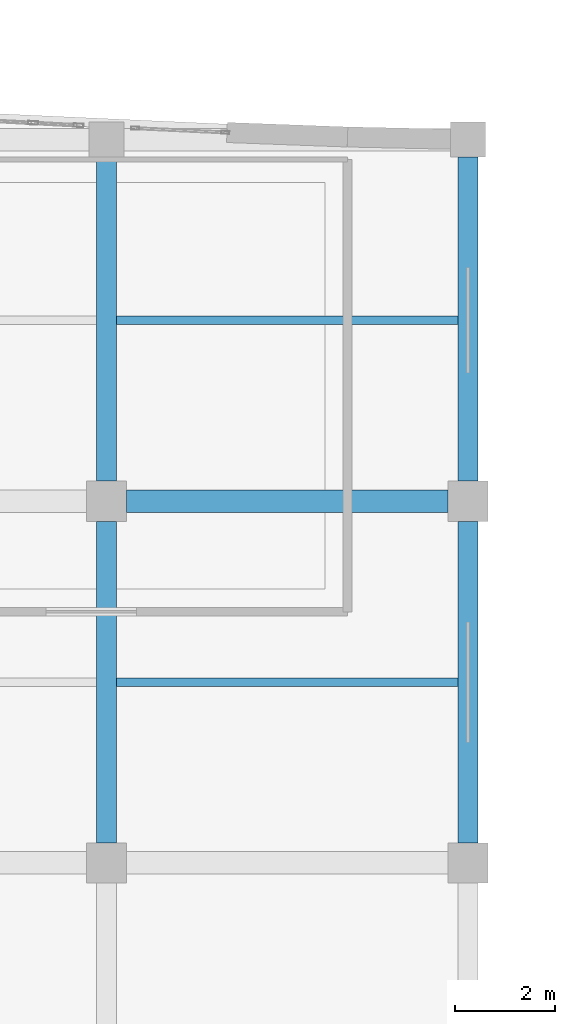
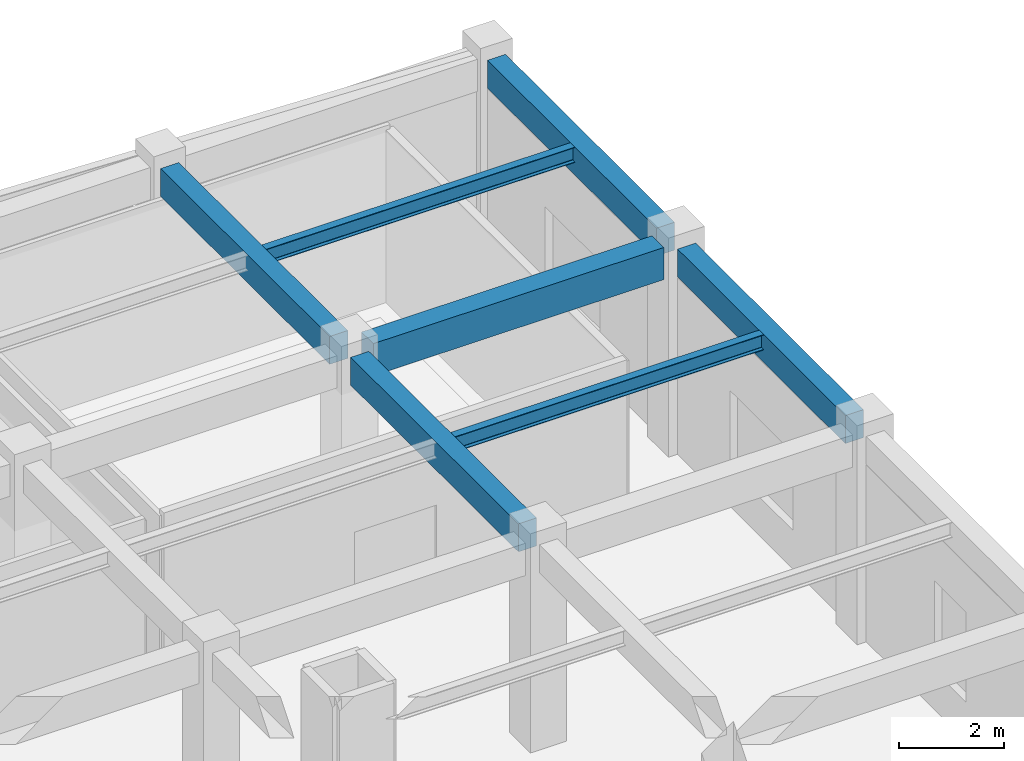
# One storey, part 64 of 117: 7 beams.
"""IFC4 building model written with IfcOpenShell, lengths in metres."""

import ifcopenshell
import ifcopenshell.guid

model = None  # the IFC model being written
_history = None  # IfcOwnerHistory: only IFC2X3 demands one
_inside = {}  # id of a spatial element -> (the spatial element, [elements in it])
_under = {}  # id of a project, library or spatial element -> (it, [spatial elements below it])
_declared = {}  # id of a project -> (the project, [libraries it declares])
_typed = {}  # id of a type object -> (the type object, [elements of that type])
_made_of = {}  # id of a material, layer set ... -> (it, [elements and type objects made of it])


def new_model(schema):
    """Start an empty IFC model of exactly this schema.

    Asked for "IFC4X3", IfcOpenShell would pick the latest addendum, in which some entities
    have other attributes; the version numbers below select the first issue.
    IFC2X3 requires an IfcOwnerHistory on every rooted entity: one is made here for all.
    """
    global model, _history
    if schema == "IFC4X3":
        model = ifcopenshell.file(schema_version=(4, 3, 0, 0))
    else:
        model = ifcopenshell.file(schema=schema)
    _inside.clear()
    _under.clear()
    _declared.clear()
    _typed.clear()
    _made_of.clear()
    _history = None
    if model.schema == "IFC2X3":
        org = make("IfcOrganization", Name="unknown")
        user = make(
            "IfcPersonAndOrganization",
            ThePerson=make("IfcPerson", FamilyName="unknown"),
            TheOrganization=org,
        )
        app = make(
            "IfcApplication",
            ApplicationDeveloper=org,
            Version="unknown",
            ApplicationFullName="unknown",
            ApplicationIdentifier="unknown",
        )
        _history = make(
            "IfcOwnerHistory",
            OwningUser=user,
            OwningApplication=app,
            ChangeAction="ADDED",
            CreationDate=0,
        )
    return model


def make(cls, **values):
    """One entity of the class cls with the attributes given. An attribute that is None is left unset."""
    return model.create_entity(
        cls, **{name: value for name, value in values.items() if value is not None}
    )


def rooted(cls, **values):
    """An entity with a GlobalId (a new one), such as an element, a storey or a relation."""
    return make(cls, GlobalId=ifcopenshell.guid.new(), OwnerHistory=_history, **values)


def si_unit(unit_type, name, prefix=None):
    """IfcSIUnit, for example si_unit("LENGTHUNIT", "METRE", prefix="MILLI")."""
    return make("IfcSIUnit", UnitType=unit_type, Prefix=prefix, Name=name)


def assignment(units):
    """IfcUnitAssignment: the units of a project."""
    return None if units is None else make("IfcUnitAssignment", Units=units)


def point(xyz):
    """IfcCartesianPoint."""
    return None if xyz is None else make("IfcCartesianPoint", Coordinates=xyz)


def direction(xyz):
    """IfcDirection."""
    return None if xyz is None else make("IfcDirection", DirectionRatios=xyz)


def frame(location, z_axis=None, x_axis=None):
    """IfcAxis2Placement3D, a coordinate frame: its origin and axes. An axis left out is left unset."""
    return make(
        "IfcAxis2Placement3D",
        Location=point(location),
        Axis=direction(z_axis),
        RefDirection=direction(x_axis),
    )


def frame_2d(location, x_axis=None):
    """IfcAxis2Placement2D, a coordinate frame in the plane: its origin and x axis."""
    return make(
        "IfcAxis2Placement2D", Location=point(location), RefDirection=direction(x_axis)
    )


def origin():
    """The frame at (0, 0, 0) with its axes left unset."""
    return frame((0.0, 0.0, 0.0))


def origin_2d():
    """The frame at (0, 0) in the plane with its x axis left unset."""
    return frame_2d((0.0, 0.0))


def place(relative_to, where):
    """IfcLocalPlacement: puts the frame where relative to a parent placement (None: the world)."""
    return make(
        "IfcLocalPlacement", PlacementRelTo=relative_to, RelativePlacement=where
    )


def context(
    kind, dimensions, precision=None, world=None, true_north=None, identifier=None
):
    """IfcGeometricRepresentationContext, for example the 3D "Model" context."""
    return make(
        "IfcGeometricRepresentationContext",
        ContextIdentifier=identifier,
        ContextType=kind,
        CoordinateSpaceDimension=dimensions,
        Precision=precision,
        WorldCoordinateSystem=world,
        TrueNorth=true_north,
    )


def subcontext(parent, identifier, kind, view, scale=None):
    """IfcGeometricRepresentationSubContext, for example "Body" below "Model"."""
    return make(
        "IfcGeometricRepresentationSubContext",
        ContextIdentifier=identifier,
        ContextType=kind,
        ParentContext=parent,
        TargetScale=scale,
        TargetView=view,
    )


def project(units=None, contexts=None):
    """IfcProject with its units and contexts."""
    return rooted(
        "IfcProject",
        Name="project",
        RepresentationContexts=contexts,
        UnitsInContext=assignment(units),
    )


def spatial(cls, under=None, at=None, **own):
    """A site, building, storey or space (cls), placed at a placement, below another one or the project."""
    s = rooted(cls, ObjectPlacement=at, **own)
    if under is not None:
        _under.setdefault(under.id(), (under, []))[1].append(s)
    return s


def profile(cls, at=None, kind="AREA", **sizes):
    """A parametric profile (cls). Its sizes go by their IFC names, for example OverallWidth=200.0."""
    return make(cls, ProfileType=kind, Position=at, **sizes)


def rectangle(**sizes):
    """IfcRectangleProfileDef."""
    return profile("IfcRectangleProfileDef", **sizes)


def i_section(**sizes):
    """IfcIShapeProfileDef."""
    return profile("IfcIShapeProfileDef", **sizes)


def extrude(swept, where, along, depth):
    """IfcExtrudedAreaSolid: the profile swept, set in the frame where, extruded along a direction by depth."""
    return make(
        "IfcExtrudedAreaSolid",
        SweptArea=swept,
        Position=where,
        ExtrudedDirection=direction(along),
        Depth=depth,
    )


def shape(context_of_items, identifier, shape_type, items):
    """IfcShapeRepresentation: the items that make up one representation, for example the "Body"."""
    return make(
        "IfcShapeRepresentation",
        ContextOfItems=context_of_items,
        RepresentationIdentifier=identifier,
        RepresentationType=shape_type,
        Items=items,
    )


def material(Name=None, Category=None):
    """IfcMaterial."""
    return make("IfcMaterial", Name=Name, Category=Category)


def material_profile(
    of_material, cross_section, Name=None, Category=None, Priority=None
):
    """IfcMaterialProfile: a cross section and its material."""
    return make(
        "IfcMaterialProfile",
        Name=Name,
        Material=of_material,
        Profile=cross_section,
        Priority=Priority,
        Category=Category,
    )


def profile_set(profiles, Name=None, composite=None):
    """IfcMaterialProfileSet."""
    return make(
        "IfcMaterialProfileSet",
        Name=Name,
        MaterialProfiles=profiles,
        CompositeProfile=composite,
    )


def made_of(thing, what):
    """Note that an element or type object is made of a material, layer set ...; save() writes the relation."""
    if what is not None:
        _made_of.setdefault(what.id(), (what, []))[1].append(thing)
    return thing


def type_object(cls, material=None, **own):
    """A type object (cls), such as IfcWallType, which elements share."""
    return made_of(rooted(cls, **own), material)


def element(
    cls,
    number,
    at=None,
    inside=None,
    cuts=None,
    type_object=None,
    material=None,
    context=None,
    identifier="Body",
    shape_type=None,
    held_by="IfcProductDefinitionShape",
    body=None,
    shapes=None,
    **own,
):
    """One element of the class cls, such as IfcWall. Its Tag is "e" and its number.

    at: its placement. inside: the storey or other place that contains it. cuts: it is an
    opening in that element (IfcRelVoidsElement). A single representation is given by context,
    identifier, shape_type and body (its items); several are given by shapes. held_by: the class
    of the entity that holds the representations. save() writes the other relations.
    """
    e = rooted(cls, Tag="e%d" % number, ObjectPlacement=at, **own)
    if body is not None:
        shapes = [shape(context, identifier, shape_type, body)]
    if shapes is not None:
        e.Representation = make(held_by, Representations=shapes)
    if inside is not None:
        _inside.setdefault(inside.id(), (inside, []))[1].append(e)
    if cuts is not None:
        rooted(
            "IfcRelVoidsElement", RelatingBuildingElement=cuts, RelatedOpeningElement=e
        )
    if type_object is not None:
        _typed.setdefault(type_object.id(), (type_object, []))[1].append(e)
    return made_of(e, material)


def aggregate(whole, parts):
    """IfcRelAggregates: a whole, such as a stair, and the parts it consists of."""
    return rooted("IfcRelAggregates", RelatingObject=whole, RelatedObjects=parts)


def save(model, path):
    """Write the relations noted so far, then the file.

    IfcRelAggregates (storeys below a building ...), IfcRelContainedInSpatialStructure (elements
    in a storey), IfcRelDefinesByType, IfcRelAssociatesMaterial and IfcRelDeclares: one each for
    every whole, place, type object, material and project.
    """
    for whole, parts in _under.values():
        aggregate(whole, parts)
    for where, things in _inside.values():
        rooted(
            "IfcRelContainedInSpatialStructure",
            RelatedElements=things,
            RelatingStructure=where,
        )
    for kind, things in _typed.values():
        rooted("IfcRelDefinesByType", RelatedObjects=things, RelatingType=kind)
    for what, things in _made_of.values():
        rooted("IfcRelAssociatesMaterial", RelatedObjects=things, RelatingMaterial=what)
    for by, libraries in _declared.values():
        rooted("IfcRelDeclares", RelatingContext=by, RelatedDefinitions=libraries)
    model.write(path)


model = new_model("IFC4")

# Units and contexts
model_context = context("Model", 3, precision=1e-05, world=origin(), true_north=direction((0.0, 1.0)))
body_context = subcontext(model_context, "Body", "Model", "MODEL_VIEW")
ifc_project = project(units=[si_unit("LENGTHUNIT", "METRE"), si_unit("AREAUNIT", "SQUARE_METRE"), si_unit("VOLUMEUNIT", "CUBIC_METRE"), si_unit("PLANEANGLEUNIT", "RADIAN"), si_unit("MASSUNIT", "GRAM", prefix="KILO")], contexts=[model_context])

# Site, building, storey
site_placement = place(None, origin())
site = spatial("IfcSite", under=ifc_project, at=site_placement, CompositionType="ELEMENT")
building_placement = place(site_placement, origin())
building = spatial("IfcBuilding", under=site, at=building_placement, Name="Carrowvane Square Congress Hotel", CompositionType="ELEMENT")
storey_placement = place(building_placement, frame((0.0, 0.0, 5.39990234375)))
storey = spatial("IfcBuildingStorey", under=building, at=storey_placement, Name="L01", CompositionType="ELEMENT", Elevation=5.39990234375)

# Beams
ifc_material_1 = material(Name="Concrete C35/45", Category="concrete")
ifc_material_profile_1 = material_profile(ifc_material_1, rectangle(XDim=0.39990234375, YDim=0.64990234375, at=origin_2d()), Name="RC 400x650")
ifc_profile_set_1 = profile_set([ifc_material_profile_1], Name="Concrete C35/45")
beam_type_1 = type_object("IfcBeamType", Name="BM-RC-400x650", PredefinedType="BEAM", material=ifc_profile_set_1)
beam_1_placement = place(storey_placement, frame((155.60009765625, 99.39990234375, 4.455078125), z_axis=(0.0, 1.0, 0.0), x_axis=(-1.0, 0.0, 0.0)))
element("IfcBeam", 1, at=beam_1_placement, inside=storey, type_object=beam_type_1, Name="L02 girder 21/P-Q", PredefinedType="BEAM", context=body_context, shape_type="SweptSolid", body=[
    extrude(rectangle(XDim=0.39990234375, YDim=0.64990234375, at=origin_2d()), origin(), (0.0, 0.0, 1.0), 6.400146484375),
])
beam_2_placement = place(storey_placement, frame((155.60009765625, 106.60009765625, 4.455078125), z_axis=(0.0, 1.0, 0.0), x_axis=(-1.0, 0.0, 0.0)))
element("IfcBeam", 2, at=beam_2_placement, inside=storey, type_object=beam_type_1, Name="L02 girder 21/Q-R", PredefinedType="BEAM", context=body_context, shape_type="SweptSolid", body=[
    extrude(rectangle(XDim=0.39990234375, YDim=0.64990234375, at=origin_2d()), origin(), (0.0, 0.0, 1.0), 6.449951171875),
])
beam_3_placement = place(storey_placement, frame((162.800048828125, 99.39990234375, 4.455078125), z_axis=(0.0, 1.0, 0.0), x_axis=(-1.0, 0.0, 0.0)))
element("IfcBeam", 3, at=beam_3_placement, inside=storey, type_object=beam_type_1, Name="L02 girder 22/P-Q", PredefinedType="BEAM", context=body_context, shape_type="SweptSolid", body=[
    extrude(rectangle(XDim=0.39990234375, YDim=0.64990234375, at=origin_2d()), origin(), (0.0, 0.0, 1.0), 6.400146484375),
])
beam_4_placement = place(storey_placement, frame((162.800048828125, 106.60009765625, 4.455078125), z_axis=(0.0, 1.0, 0.0), x_axis=(-1.0, 0.0, 0.0)))
element("IfcBeam", 4, at=beam_4_placement, inside=storey, type_object=beam_type_1, Name="L02 girder 22/Q-R", PredefinedType="BEAM", context=body_context, shape_type="SweptSolid", body=[
    extrude(rectangle(XDim=0.39990234375, YDim=0.64990234375, at=origin_2d()), origin(), (0.0, 0.0, 1.0), 6.449951171875),
])
ifc_material_2 = material(Name="Concrete C35/45", Category="concrete")
ifc_material_profile_2 = material_profile(ifc_material_2, rectangle(XDim=0.449951171875, YDim=0.75, at=origin_2d()), Name="RC 450x750")
ifc_profile_set_2 = profile_set([ifc_material_profile_2], Name="Concrete C35/45")
beam_type_2 = type_object("IfcBeamType", Name="BM-RC-450x750", PredefinedType="USERDEFINED", material=ifc_profile_set_2)
beam_5_placement = place(storey_placement, frame((156.0, 106.199951171875, 4.405029296875), z_axis=(1.0, 0.0, 0.0), x_axis=(0.0, 1.0, 0.0)))
element("IfcBeam", 5, at=beam_5_placement, inside=storey, type_object=beam_type_2, Name="L02 girder Q/21-22", ObjectType="GIRDER", PredefinedType="USERDEFINED", context=body_context, shape_type="SweptSolid", body=[
    extrude(rectangle(XDim=0.449951171875, YDim=0.75, at=origin_2d()), origin(), (0.0, 0.0, 1.0), 6.39990234375),
])
ifc_material_3 = material(Name="Steel S355", Category="steel")
ifc_material_profile_3 = material_profile(ifc_material_3, i_section(OverallWidth=0.172119140625, OverallDepth=0.35791015625, WebThickness=0.008056640625, FlangeThickness=0.012939453125, FilletRadius=0.01025390625, at=origin_2d()), Name="UKB 356x171x57")
ifc_profile_set_3 = profile_set([ifc_material_profile_3], Name="Steel S355")
beam_type_3 = type_object("IfcBeamType", Name="BM-ST-UKB356", PredefinedType="JOIST", material=ifc_profile_set_3)
for number, where, z_axis, x_axis, name in (
    (6, (155.800048828125, 102.60009765625, 4.60107421875), (1.0, 0.0, 0.0), (0.0, 1.0, 0.0), "L02 secondary joist 21-22"),
    (7, (155.800048828125, 109.800048828125, 4.60107421875), (1.0, 0.0, 0.0), (0.0, 1.0, 0.0), "L02 secondary joist 21-22"),
):
    element("IfcBeam", number, at=place(storey_placement, frame(where, z_axis=z_axis, x_axis=x_axis)), inside=storey, type_object=beam_type_3, Name=name, PredefinedType="JOIST", context=body_context, shape_type="SweptSolid", body=[
        extrude(i_section(OverallWidth=0.172119140625, OverallDepth=0.35791015625, WebThickness=0.008056640625, FlangeThickness=0.012939453125, FilletRadius=0.01025390625, at=origin_2d()), origin(), (0.0, 0.0, 1.0), 6.800048828125),
    ])

save(model, "model.ifc")
